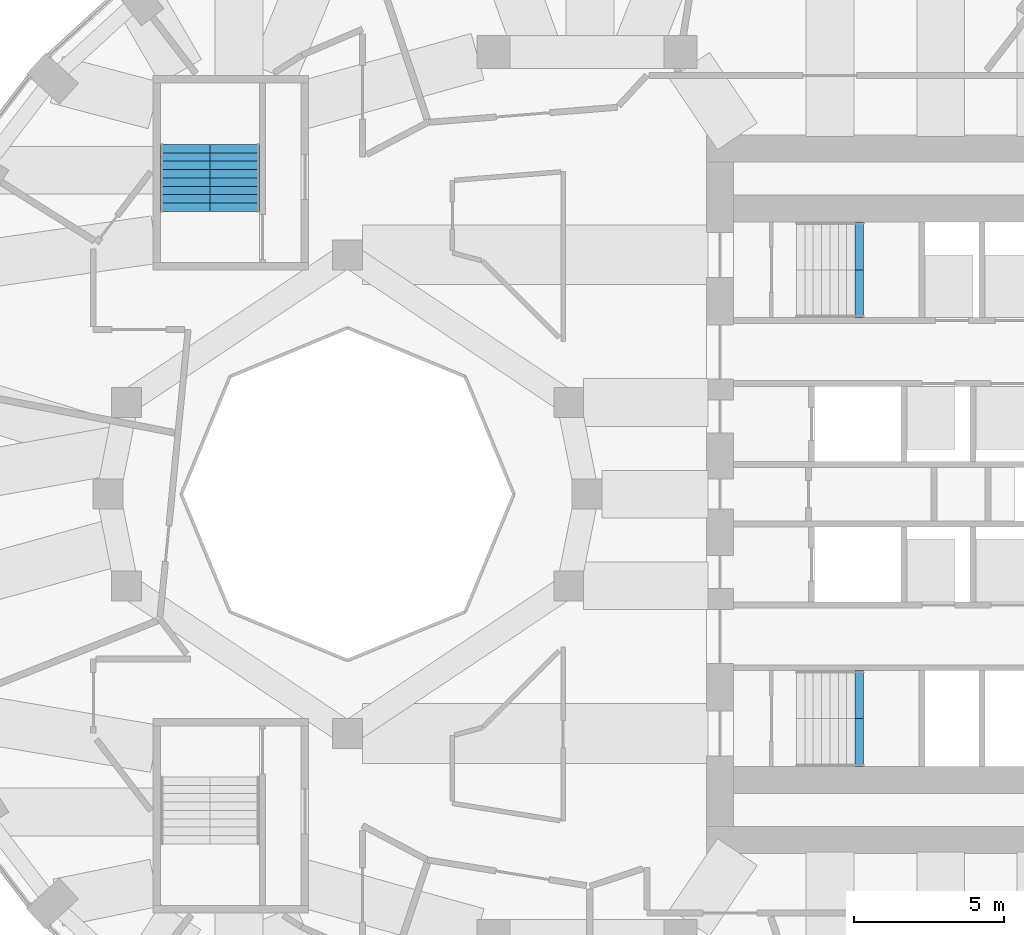
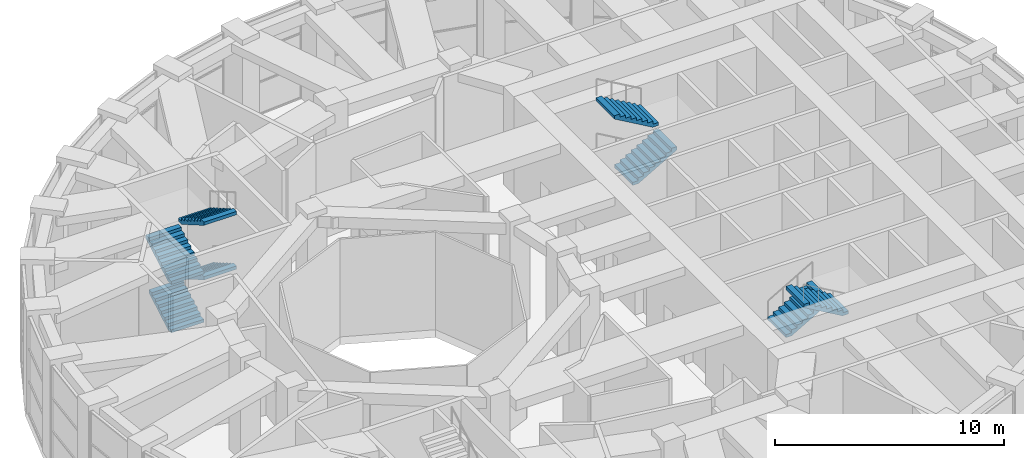
# One storey, part 15 of 17: 8 stair flights, 3 elements without a shape of their own.
"""IFC4 building model written with IfcOpenShell, lengths in metres."""

from ifc_helpers import new_model, si_unit, direction, frame, origin, place, context, subcontext, project, spatial, polyline, outline, extrude, material, type_object, element, aggregate, save


model = new_model("IFC4")

# Units and contexts
model_context = context("Model", 3, precision=1e-05, world=origin(), true_north=direction((0.0, 1.0)))
body_context = subcontext(model_context, "Body", "Model", "MODEL_VIEW")
ifc_project = project(units=[si_unit("LENGTHUNIT", "METRE"), si_unit("AREAUNIT", "SQUARE_METRE"), si_unit("VOLUMEUNIT", "CUBIC_METRE"), si_unit("PLANEANGLEUNIT", "RADIAN"), si_unit("MASSUNIT", "GRAM", prefix="KILO")], contexts=[model_context])

# Site, building, storey
site_placement = place(None, origin())
site = spatial("IfcSite", under=ifc_project, at=site_placement, CompositionType="ELEMENT")
building_placement = place(site_placement, origin())
building = spatial("IfcBuilding", under=site, at=building_placement, Name="Taillehof Tower", CompositionType="ELEMENT")
storey_placement = place(building_placement, frame((0.0, 0.0, 139.60009765625)))
storey = spatial("IfcBuildingStorey", under=building, at=storey_placement, Name="L39", CompositionType="ELEMENT", Elevation=139.60009765625)

# Stair, stair flights
ifc_material_1 = material(Name="Concrete C40/50", Category="concrete")
stair_type = type_object("IfcStairType", Name="Exit stair half-turn", PredefinedType="HALF_TURN_STAIR", material=ifc_material_1)
stair_1_placement = place(storey_placement, origin())
stair_1 = element("IfcStair", 1, at=stair_1_placement, inside=storey, type_object=stair_type, Name="Exit stair S1", PredefinedType="HALF_TURN_STAIR")
ifc_material_2 = material(Name="Concrete C40/50", Category="concrete")
stair_flight_type_1 = type_object("IfcStairFlightType", Name="Stair flight 1600 riser 161.8 going 280", PredefinedType="STRAIGHT", material=ifc_material_2)
stair_flight_1_placement = place(storey_placement, frame((7.0, 6.699951171875, 2.588134765625), z_axis=(0.0, 0.0, 1.0), x_axis=(1.0, 0.0, 0.0)))
stair_flight_1 = element("IfcStairFlight", 2, at=stair_flight_1_placement, type_object=stair_flight_type_1, Name="S1 flight 3", NumberOfRisers=9, NumberOfTreads=8, PredefinedType="STRAIGHT", RiserHeight=0.161764706, TreadLength=0.28, context=body_context, shape_type="SweptSolid", body=[
    extrude(outline(polyline([(0.0, 0.0), (0.0, 0.005859375), (0.0, 0.011474609375), (0.0, 0.017333984375), (0.0, 0.023193359375), (0.0, 0.02880859375), (0.0, 0.03466796875), (0.0, 0.04052734375), (0.0, 0.046142578125), (0.0, 0.052001953125), (0.0, 0.057861328125), (0.0, 0.0634765625), (0.0, 0.0693359375), (0.0, 0.0751953125), (0.0, 0.080810546875), (0.0, 0.086669921875), (0.0, 0.092529296875), (0.0, 0.09814453125), (0.0, 0.10400390625), (0.0, 0.10986328125), (0.0, 0.115478515625), (0.0, 0.121337890625), (0.0, 0.127197265625), (0.0, 0.1328125), (0.0, 0.138671875), (0.0, 0.14453125), (0.0, 0.150146484375), (0.0, 0.156005859375), (0.0, 0.161865234375), (0.280029296875, 0.161865234375), (0.280029296875, 0.323486328125), (0.56005859375, 0.323486328125), (0.56005859375, 0.4853515625), (0.840087890625, 0.4853515625), (0.840087890625, 0.64697265625), (1.1201171875, 0.64697265625), (1.1201171875, 0.808837890625), (1.39990234375, 0.808837890625), (1.39990234375, 0.970703125), (1.679931640625, 0.970703125), (1.679931640625, 1.13232421875), (1.9599609375, 1.13232421875), (1.9599609375, 1.294189453125), (2.239990234375, 1.294189453125), (2.239990234375, 1.287841796875), (2.239990234375, 1.28173828125), (2.239990234375, 1.275634765625), (2.239990234375, 1.269287109375), (2.239990234375, 1.26318359375), (2.239990234375, 1.257080078125), (2.239990234375, 1.250732421875), (2.239990234375, 1.24462890625), (2.239990234375, 1.238525390625), (2.239990234375, 1.232177734375), (2.239990234375, 1.22607421875), (2.239990234375, 1.219970703125), (2.239990234375, 1.213623046875), (2.239990234375, 1.20751953125), (2.239990234375, 1.201416015625), (2.239990234375, 1.1953125), (2.239990234375, 1.18896484375), (2.239990234375, 1.182861328125), (2.239990234375, 1.1767578125), (2.239990234375, 1.17041015625), (2.239990234375, 1.164306640625), (2.239990234375, 1.158203125), (2.239990234375, 1.15185546875), (2.239990234375, 1.145751953125), (2.239990234375, 1.1396484375), (2.239990234375, 1.13330078125), (2.239990234375, 1.127197265625), (2.239990234375, 1.12109375), (0.299560546875, 0.0), (0.0, 0.0)])), frame((0.0, 0.800048828125, 0.0), z_axis=(0.0, -1.0, 0.0), x_axis=(1.0, 0.0, 0.0)), (0.0, 0.0, 1.0), 1.6),
])
stair_flight_2_placement = place(storey_placement, frame((9.239990234375, 8.300048828125, 4.0439453125), z_axis=(0.0, 0.0, 1.0), x_axis=(-1.0, 0.0, 0.0)))
stair_flight_2 = element("IfcStairFlight", 3, at=stair_flight_2_placement, type_object=stair_flight_type_1, Name="S1 flight 4", NumberOfRisers=9, NumberOfTreads=8, PredefinedType="STRAIGHT", RiserHeight=0.161764706, TreadLength=0.28, context=body_context, shape_type="SweptSolid", body=[
    extrude(outline(polyline([(0.0, 0.0), (0.0, 0.005859375), (0.0, 0.011474609375), (0.0, 0.017333984375), (0.0, 0.023193359375), (0.0, 0.02880859375), (0.0, 0.03466796875), (0.0, 0.04052734375), (0.0, 0.046142578125), (0.0, 0.052001953125), (0.0, 0.057861328125), (0.0, 0.0634765625), (0.0, 0.0693359375), (0.0, 0.0751953125), (0.0, 0.080810546875), (0.0, 0.086669921875), (0.0, 0.092529296875), (0.0, 0.09814453125), (0.0, 0.10400390625), (0.0, 0.10986328125), (0.0, 0.115478515625), (0.0, 0.121337890625), (0.0, 0.127197265625), (0.0, 0.1328125), (0.0, 0.138671875), (0.0, 0.14453125), (0.0, 0.150146484375), (0.0, 0.156005859375), (0.0, 0.161865234375), (0.280029296875, 0.161865234375), (0.280029296875, 0.323486328125), (0.56005859375, 0.323486328125), (0.56005859375, 0.4853515625), (0.840087890625, 0.4853515625), (0.840087890625, 0.64697265625), (1.1201171875, 0.64697265625), (1.1201171875, 0.808837890625), (1.39990234375, 0.808837890625), (1.39990234375, 0.970703125), (1.679931640625, 0.970703125), (1.679931640625, 1.13232421875), (1.9599609375, 1.13232421875), (1.9599609375, 1.294189453125), (2.239990234375, 1.294189453125), (2.239990234375, 1.287841796875), (2.239990234375, 1.28173828125), (2.239990234375, 1.275634765625), (2.239990234375, 1.269287109375), (2.239990234375, 1.26318359375), (2.239990234375, 1.257080078125), (2.239990234375, 1.250732421875), (2.239990234375, 1.24462890625), (2.239990234375, 1.238525390625), (2.239990234375, 1.232177734375), (2.239990234375, 1.22607421875), (2.239990234375, 1.219970703125), (2.239990234375, 1.213623046875), (2.239990234375, 1.20751953125), (2.239990234375, 1.201416015625), (2.239990234375, 1.1953125), (2.239990234375, 1.18896484375), (2.239990234375, 1.182861328125), (2.239990234375, 1.1767578125), (2.239990234375, 1.17041015625), (2.239990234375, 1.164306640625), (2.239990234375, 1.158203125), (2.239990234375, 1.15185546875), (2.239990234375, 1.145751953125), (2.239990234375, 1.1396484375), (2.239990234375, 1.13330078125), (2.239990234375, 1.127197265625), (2.239990234375, 1.12109375), (0.299560546875, 0.0), (0.0, 0.0)])), frame((0.0, 0.800048828125, 0.0), z_axis=(0.0, -1.0, 0.0), x_axis=(1.0, 0.0, 0.0)), (0.0, 0.0, 1.0), 1.6),
])
aggregate(stair_1, [stair_flight_1, stair_flight_2])

stair_2_placement = place(storey_placement, origin())
stair_2 = element("IfcStair", 4, at=stair_2_placement, inside=storey, type_object=stair_type, Name="Exit stair S2", PredefinedType="HALF_TURN_STAIR")
stair_flight_3_placement = place(storey_placement, frame((7.0, -6.699951171875, 2.588134765625), z_axis=(0.0, 0.0, 1.0), x_axis=(1.0, 0.0, 0.0)))
stair_flight_3 = element("IfcStairFlight", 5, at=stair_flight_3_placement, type_object=stair_flight_type_1, Name="S2 flight 3", NumberOfRisers=9, NumberOfTreads=8, PredefinedType="STRAIGHT", RiserHeight=0.161764706, TreadLength=0.28, context=body_context, shape_type="SweptSolid", body=[
    extrude(outline(polyline([(0.0, 0.0), (0.0, 0.005859375), (0.0, 0.011474609375), (0.0, 0.017333984375), (0.0, 0.023193359375), (0.0, 0.02880859375), (0.0, 0.03466796875), (0.0, 0.04052734375), (0.0, 0.046142578125), (0.0, 0.052001953125), (0.0, 0.057861328125), (0.0, 0.0634765625), (0.0, 0.0693359375), (0.0, 0.0751953125), (0.0, 0.080810546875), (0.0, 0.086669921875), (0.0, 0.092529296875), (0.0, 0.09814453125), (0.0, 0.10400390625), (0.0, 0.10986328125), (0.0, 0.115478515625), (0.0, 0.121337890625), (0.0, 0.127197265625), (0.0, 0.1328125), (0.0, 0.138671875), (0.0, 0.14453125), (0.0, 0.150146484375), (0.0, 0.156005859375), (0.0, 0.161865234375), (0.280029296875, 0.161865234375), (0.280029296875, 0.323486328125), (0.56005859375, 0.323486328125), (0.56005859375, 0.4853515625), (0.840087890625, 0.4853515625), (0.840087890625, 0.64697265625), (1.1201171875, 0.64697265625), (1.1201171875, 0.808837890625), (1.39990234375, 0.808837890625), (1.39990234375, 0.970703125), (1.679931640625, 0.970703125), (1.679931640625, 1.13232421875), (1.9599609375, 1.13232421875), (1.9599609375, 1.294189453125), (2.239990234375, 1.294189453125), (2.239990234375, 1.287841796875), (2.239990234375, 1.28173828125), (2.239990234375, 1.275634765625), (2.239990234375, 1.269287109375), (2.239990234375, 1.26318359375), (2.239990234375, 1.257080078125), (2.239990234375, 1.250732421875), (2.239990234375, 1.24462890625), (2.239990234375, 1.238525390625), (2.239990234375, 1.232177734375), (2.239990234375, 1.22607421875), (2.239990234375, 1.219970703125), (2.239990234375, 1.213623046875), (2.239990234375, 1.20751953125), (2.239990234375, 1.201416015625), (2.239990234375, 1.1953125), (2.239990234375, 1.18896484375), (2.239990234375, 1.182861328125), (2.239990234375, 1.1767578125), (2.239990234375, 1.17041015625), (2.239990234375, 1.164306640625), (2.239990234375, 1.158203125), (2.239990234375, 1.15185546875), (2.239990234375, 1.145751953125), (2.239990234375, 1.1396484375), (2.239990234375, 1.13330078125), (2.239990234375, 1.127197265625), (2.239990234375, 1.12109375), (0.299560546875, 0.0), (0.0, 0.0)])), frame((0.0, 0.800048828125, 0.0), z_axis=(0.0, -1.0, 0.0), x_axis=(1.0, 0.0, 0.0)), (0.0, 0.0, 1.0), 1.6),
])
stair_flight_4_placement = place(storey_placement, frame((9.239990234375, -8.300048828125, 4.0439453125), z_axis=(0.0, 0.0, 1.0), x_axis=(-1.0, 0.0, 0.0)))
stair_flight_4 = element("IfcStairFlight", 6, at=stair_flight_4_placement, type_object=stair_flight_type_1, Name="S2 flight 4", NumberOfRisers=9, NumberOfTreads=8, PredefinedType="STRAIGHT", RiserHeight=0.161764706, TreadLength=0.28, context=body_context, shape_type="SweptSolid", body=[
    extrude(outline(polyline([(0.0, 0.0), (0.0, 0.005859375), (0.0, 0.011474609375), (0.0, 0.017333984375), (0.0, 0.023193359375), (0.0, 0.02880859375), (0.0, 0.03466796875), (0.0, 0.04052734375), (0.0, 0.046142578125), (0.0, 0.052001953125), (0.0, 0.057861328125), (0.0, 0.0634765625), (0.0, 0.0693359375), (0.0, 0.0751953125), (0.0, 0.080810546875), (0.0, 0.086669921875), (0.0, 0.092529296875), (0.0, 0.09814453125), (0.0, 0.10400390625), (0.0, 0.10986328125), (0.0, 0.115478515625), (0.0, 0.121337890625), (0.0, 0.127197265625), (0.0, 0.1328125), (0.0, 0.138671875), (0.0, 0.14453125), (0.0, 0.150146484375), (0.0, 0.156005859375), (0.0, 0.161865234375), (0.280029296875, 0.161865234375), (0.280029296875, 0.323486328125), (0.56005859375, 0.323486328125), (0.56005859375, 0.4853515625), (0.840087890625, 0.4853515625), (0.840087890625, 0.64697265625), (1.1201171875, 0.64697265625), (1.1201171875, 0.808837890625), (1.39990234375, 0.808837890625), (1.39990234375, 0.970703125), (1.679931640625, 0.970703125), (1.679931640625, 1.13232421875), (1.9599609375, 1.13232421875), (1.9599609375, 1.294189453125), (2.239990234375, 1.294189453125), (2.239990234375, 1.287841796875), (2.239990234375, 1.28173828125), (2.239990234375, 1.275634765625), (2.239990234375, 1.269287109375), (2.239990234375, 1.26318359375), (2.239990234375, 1.257080078125), (2.239990234375, 1.250732421875), (2.239990234375, 1.24462890625), (2.239990234375, 1.238525390625), (2.239990234375, 1.232177734375), (2.239990234375, 1.22607421875), (2.239990234375, 1.219970703125), (2.239990234375, 1.213623046875), (2.239990234375, 1.20751953125), (2.239990234375, 1.201416015625), (2.239990234375, 1.1953125), (2.239990234375, 1.18896484375), (2.239990234375, 1.182861328125), (2.239990234375, 1.1767578125), (2.239990234375, 1.17041015625), (2.239990234375, 1.164306640625), (2.239990234375, 1.158203125), (2.239990234375, 1.15185546875), (2.239990234375, 1.145751953125), (2.239990234375, 1.1396484375), (2.239990234375, 1.13330078125), (2.239990234375, 1.127197265625), (2.239990234375, 1.12109375), (0.299560546875, 0.0), (0.0, 0.0)])), frame((0.0, 0.800048828125, 0.0), z_axis=(0.0, -1.0, 0.0), x_axis=(1.0, 0.0, 0.0)), (0.0, 0.0, 1.0), 1.6),
])
aggregate(stair_2, [stair_flight_3, stair_flight_4])

stair_3_placement = place(storey_placement, origin())
stair_3 = element("IfcStair", 7, at=stair_3_placement, inside=storey, type_object=stair_type, Name="Exit stair S3", PredefinedType="HALF_TURN_STAIR")
ifc_material_3 = material(Name="Concrete C40/50", Category="concrete")
stair_flight_type_2 = type_object("IfcStairFlightType", Name="Stair flight 1650 riser 161.8 going 280", PredefinedType="STRAIGHT", material=ifc_material_3)
stair_flight_5_placement = place(storey_placement, frame((-13.425048828125, 9.449951171875, 0.0), z_axis=(0.0, 0.0, 1.0), x_axis=(0.0, 1.0, 0.0)))
stair_flight_5 = element("IfcStairFlight", 8, at=stair_flight_5_placement, type_object=stair_flight_type_2, Name="S3 flight 1", NumberOfRisers=8, NumberOfTreads=7, PredefinedType="STRAIGHT", RiserHeight=0.161764706, TreadLength=0.28, context=body_context, shape_type="SweptSolid", body=[
    extrude(outline(polyline([(0.0, 0.0), (0.0, 0.006591796875), (0.0, 0.012939453125), (0.0, 0.01953125), (0.0, 0.02587890625), (0.0, 0.032470703125), (0.0, 0.038818359375), (0.0, 0.04541015625), (0.0, 0.0517578125), (0.0, 0.058349609375), (0.0, 0.064697265625), (0.0, 0.0712890625), (0.0, 0.07763671875), (0.0, 0.084228515625), (0.0, 0.090576171875), (0.0, 0.09716796875), (0.0, 0.103515625), (0.0, 0.110107421875), (0.0, 0.116455078125), (0.0, 0.123046875), (0.0, 0.12939453125), (0.0, 0.135986328125), (0.0, 0.142333984375), (0.0, 0.14892578125), (0.0, 0.1552734375), (0.0, 0.161865234375), (0.280029296875, 0.161865234375), (0.280029296875, 0.323486328125), (0.56005859375, 0.323486328125), (0.56005859375, 0.4853515625), (0.840087890625, 0.4853515625), (0.840087890625, 0.64697265625), (1.1201171875, 0.64697265625), (1.1201171875, 0.808837890625), (1.39990234375, 0.808837890625), (1.39990234375, 0.970703125), (1.679931640625, 0.970703125), (1.679931640625, 1.13232421875), (1.9599609375, 1.13232421875), (1.9599609375, 1.12548828125), (1.9599609375, 1.118408203125), (1.9599609375, 1.111572265625), (1.9599609375, 1.104736328125), (1.9599609375, 1.09765625), (1.9599609375, 1.0908203125), (1.9599609375, 1.083984375), (1.9599609375, 1.076904296875), (1.9599609375, 1.070068359375), (1.9599609375, 1.06298828125), (1.9599609375, 1.05615234375), (1.9599609375, 1.04931640625), (1.9599609375, 1.042236328125), (1.9599609375, 1.035400390625), (1.9599609375, 1.028564453125), (1.9599609375, 1.021484375), (1.9599609375, 1.0146484375), (1.9599609375, 1.0078125), (1.9599609375, 1.000732421875), (1.9599609375, 0.993896484375), (1.9599609375, 0.98681640625), (1.9599609375, 0.97998046875), (1.9599609375, 0.97314453125), (1.9599609375, 0.966064453125), (1.9599609375, 0.959228515625), (0.299560546875, 0.0), (0.0, 0.0)])), frame((0.0, 0.824951171875, 0.0), z_axis=(0.0, -1.0, 0.0), x_axis=(1.0, 0.0, 0.0)), (0.0, 0.0, 1.0), 1.65),
])
stair_flight_6_placement = place(storey_placement, frame((-11.77490234375, 11.409912109375, 1.2939453125), z_axis=(0.0, 0.0, 1.0), x_axis=(0.0, -1.0, 0.0)))
stair_flight_6 = element("IfcStairFlight", 9, at=stair_flight_6_placement, type_object=stair_flight_type_2, Name="S3 flight 2", NumberOfRisers=8, NumberOfTreads=7, PredefinedType="STRAIGHT", RiserHeight=0.161764706, TreadLength=0.28, context=body_context, shape_type="SweptSolid", body=[
    extrude(outline(polyline([(0.0, 0.0), (0.0, 0.006591796875), (0.0, 0.012939453125), (0.0, 0.01953125), (0.0, 0.02587890625), (0.0, 0.032470703125), (0.0, 0.038818359375), (0.0, 0.04541015625), (0.0, 0.0517578125), (0.0, 0.058349609375), (0.0, 0.064697265625), (0.0, 0.0712890625), (0.0, 0.07763671875), (0.0, 0.084228515625), (0.0, 0.090576171875), (0.0, 0.09716796875), (0.0, 0.103515625), (0.0, 0.110107421875), (0.0, 0.116455078125), (0.0, 0.123046875), (0.0, 0.12939453125), (0.0, 0.135986328125), (0.0, 0.142333984375), (0.0, 0.14892578125), (0.0, 0.1552734375), (0.0, 0.161865234375), (0.280029296875, 0.161865234375), (0.280029296875, 0.323486328125), (0.56005859375, 0.323486328125), (0.56005859375, 0.4853515625), (0.840087890625, 0.4853515625), (0.840087890625, 0.64697265625), (1.1201171875, 0.64697265625), (1.1201171875, 0.808837890625), (1.39990234375, 0.808837890625), (1.39990234375, 0.970703125), (1.679931640625, 0.970703125), (1.679931640625, 1.13232421875), (1.9599609375, 1.13232421875), (1.9599609375, 1.12548828125), (1.9599609375, 1.118408203125), (1.9599609375, 1.111572265625), (1.9599609375, 1.104736328125), (1.9599609375, 1.09765625), (1.9599609375, 1.0908203125), (1.9599609375, 1.083984375), (1.9599609375, 1.076904296875), (1.9599609375, 1.070068359375), (1.9599609375, 1.06298828125), (1.9599609375, 1.05615234375), (1.9599609375, 1.04931640625), (1.9599609375, 1.042236328125), (1.9599609375, 1.035400390625), (1.9599609375, 1.028564453125), (1.9599609375, 1.021484375), (1.9599609375, 1.0146484375), (1.9599609375, 1.0078125), (1.9599609375, 1.000732421875), (1.9599609375, 0.993896484375), (1.9599609375, 0.98681640625), (1.9599609375, 0.97998046875), (1.9599609375, 0.97314453125), (1.9599609375, 0.966064453125), (1.9599609375, 0.959228515625), (0.299560546875, 0.0), (0.0, 0.0)])), frame((0.0, 0.824951171875, 0.0), z_axis=(0.0, -1.0, 0.0), x_axis=(1.0, 0.0, 0.0)), (0.0, 0.0, 1.0), 1.65),
])
stair_flight_7_placement = place(storey_placement, frame((-13.425048828125, 9.449951171875, 2.588134765625), z_axis=(0.0, 0.0, 1.0), x_axis=(0.0, 1.0, 0.0)))
stair_flight_7 = element("IfcStairFlight", 10, at=stair_flight_7_placement, type_object=stair_flight_type_2, Name="S3 flight 3", NumberOfRisers=9, NumberOfTreads=8, PredefinedType="STRAIGHT", RiserHeight=0.161764706, TreadLength=0.28, context=body_context, shape_type="SweptSolid", body=[
    extrude(outline(polyline([(0.0, 0.0), (0.0, 0.005859375), (0.0, 0.011474609375), (0.0, 0.017333984375), (0.0, 0.023193359375), (0.0, 0.02880859375), (0.0, 0.03466796875), (0.0, 0.04052734375), (0.0, 0.046142578125), (0.0, 0.052001953125), (0.0, 0.057861328125), (0.0, 0.0634765625), (0.0, 0.0693359375), (0.0, 0.0751953125), (0.0, 0.080810546875), (0.0, 0.086669921875), (0.0, 0.092529296875), (0.0, 0.09814453125), (0.0, 0.10400390625), (0.0, 0.10986328125), (0.0, 0.115478515625), (0.0, 0.121337890625), (0.0, 0.127197265625), (0.0, 0.1328125), (0.0, 0.138671875), (0.0, 0.14453125), (0.0, 0.150146484375), (0.0, 0.156005859375), (0.0, 0.161865234375), (0.280029296875, 0.161865234375), (0.280029296875, 0.323486328125), (0.56005859375, 0.323486328125), (0.56005859375, 0.4853515625), (0.840087890625, 0.4853515625), (0.840087890625, 0.64697265625), (1.1201171875, 0.64697265625), (1.1201171875, 0.808837890625), (1.39990234375, 0.808837890625), (1.39990234375, 0.970703125), (1.679931640625, 0.970703125), (1.679931640625, 1.13232421875), (1.9599609375, 1.13232421875), (1.9599609375, 1.294189453125), (2.239990234375, 1.294189453125), (2.239990234375, 1.287841796875), (2.239990234375, 1.28173828125), (2.239990234375, 1.275634765625), (2.239990234375, 1.269287109375), (2.239990234375, 1.26318359375), (2.239990234375, 1.257080078125), (2.239990234375, 1.250732421875), (2.239990234375, 1.24462890625), (2.239990234375, 1.238525390625), (2.239990234375, 1.232177734375), (2.239990234375, 1.22607421875), (2.239990234375, 1.219970703125), (2.239990234375, 1.213623046875), (2.239990234375, 1.20751953125), (2.239990234375, 1.201416015625), (2.239990234375, 1.1953125), (2.239990234375, 1.18896484375), (2.239990234375, 1.182861328125), (2.239990234375, 1.1767578125), (2.239990234375, 1.17041015625), (2.239990234375, 1.164306640625), (2.239990234375, 1.158203125), (2.239990234375, 1.15185546875), (2.239990234375, 1.145751953125), (2.239990234375, 1.1396484375), (2.239990234375, 1.13330078125), (2.239990234375, 1.127197265625), (2.239990234375, 1.12109375), (0.299560546875, 0.0), (0.0, 0.0)])), frame((0.0, 0.824951171875, 0.0), z_axis=(0.0, -1.0, 0.0), x_axis=(1.0, 0.0, 0.0)), (0.0, 0.0, 1.0), 1.65),
])
stair_flight_8_placement = place(storey_placement, frame((-11.77490234375, 11.68994140625, 4.0439453125), z_axis=(0.0, 0.0, 1.0), x_axis=(0.0, -1.0, 0.0)))
stair_flight_8 = element("IfcStairFlight", 11, at=stair_flight_8_placement, type_object=stair_flight_type_2, Name="S3 flight 4", NumberOfRisers=9, NumberOfTreads=8, PredefinedType="STRAIGHT", RiserHeight=0.161764706, TreadLength=0.28, context=body_context, shape_type="SweptSolid", body=[
    extrude(outline(polyline([(0.0, 0.0), (0.0, 0.005859375), (0.0, 0.011474609375), (0.0, 0.017333984375), (0.0, 0.023193359375), (0.0, 0.02880859375), (0.0, 0.03466796875), (0.0, 0.04052734375), (0.0, 0.046142578125), (0.0, 0.052001953125), (0.0, 0.057861328125), (0.0, 0.0634765625), (0.0, 0.0693359375), (0.0, 0.0751953125), (0.0, 0.080810546875), (0.0, 0.086669921875), (0.0, 0.092529296875), (0.0, 0.09814453125), (0.0, 0.10400390625), (0.0, 0.10986328125), (0.0, 0.115478515625), (0.0, 0.121337890625), (0.0, 0.127197265625), (0.0, 0.1328125), (0.0, 0.138671875), (0.0, 0.14453125), (0.0, 0.150146484375), (0.0, 0.156005859375), (0.0, 0.161865234375), (0.280029296875, 0.161865234375), (0.280029296875, 0.323486328125), (0.56005859375, 0.323486328125), (0.56005859375, 0.4853515625), (0.840087890625, 0.4853515625), (0.840087890625, 0.64697265625), (1.1201171875, 0.64697265625), (1.1201171875, 0.808837890625), (1.39990234375, 0.808837890625), (1.39990234375, 0.970703125), (1.679931640625, 0.970703125), (1.679931640625, 1.13232421875), (1.9599609375, 1.13232421875), (1.9599609375, 1.294189453125), (2.239990234375, 1.294189453125), (2.239990234375, 1.287841796875), (2.239990234375, 1.28173828125), (2.239990234375, 1.275634765625), (2.239990234375, 1.269287109375), (2.239990234375, 1.26318359375), (2.239990234375, 1.257080078125), (2.239990234375, 1.250732421875), (2.239990234375, 1.24462890625), (2.239990234375, 1.238525390625), (2.239990234375, 1.232177734375), (2.239990234375, 1.22607421875), (2.239990234375, 1.219970703125), (2.239990234375, 1.213623046875), (2.239990234375, 1.20751953125), (2.239990234375, 1.201416015625), (2.239990234375, 1.1953125), (2.239990234375, 1.18896484375), (2.239990234375, 1.182861328125), (2.239990234375, 1.1767578125), (2.239990234375, 1.17041015625), (2.239990234375, 1.164306640625), (2.239990234375, 1.158203125), (2.239990234375, 1.15185546875), (2.239990234375, 1.145751953125), (2.239990234375, 1.1396484375), (2.239990234375, 1.13330078125), (2.239990234375, 1.127197265625), (2.239990234375, 1.12109375), (0.299560546875, 0.0), (0.0, 0.0)])), frame((0.0, 0.824951171875, 0.0), z_axis=(0.0, -1.0, 0.0), x_axis=(1.0, 0.0, 0.0)), (0.0, 0.0, 1.0), 1.65),
])
aggregate(stair_3, [stair_flight_5, stair_flight_6, stair_flight_7, stair_flight_8])

save(model, "model.ifc")
